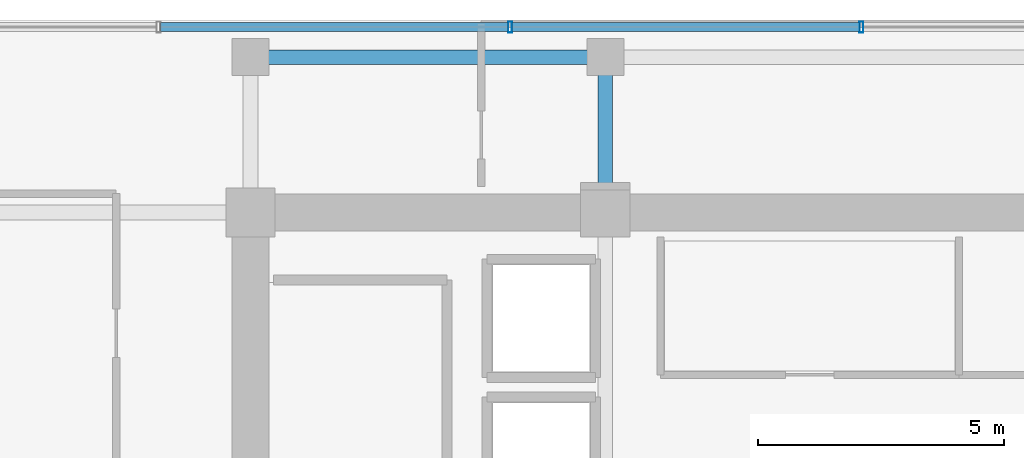
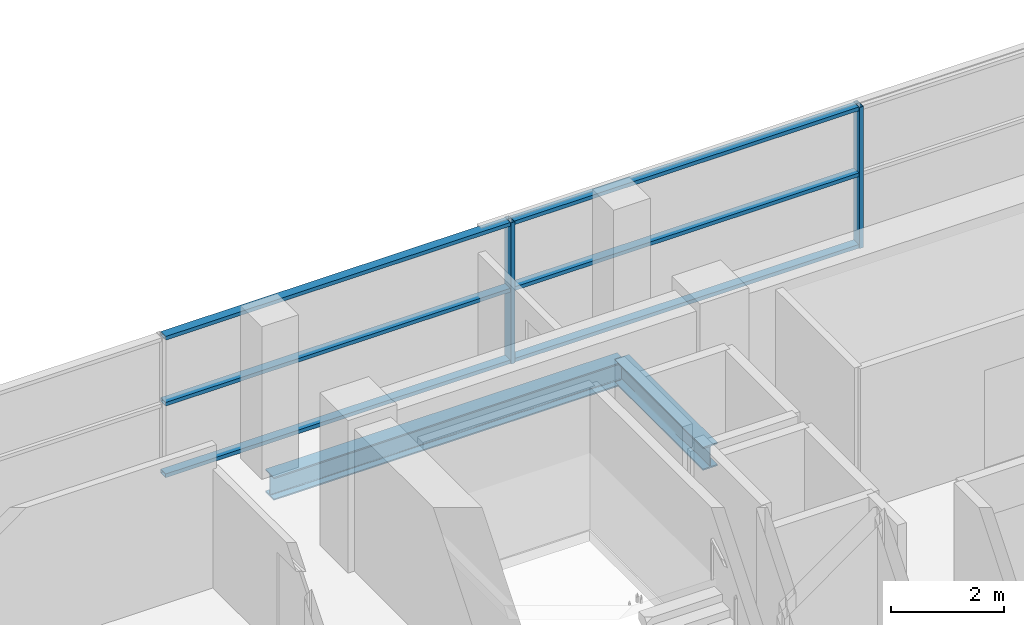
# One storey, part 10 of 21: 8 members, 2 beams, 1 element without a shape of its own.
"""IFC4 building model written with IfcOpenShell, lengths in metres."""

import ifcopenshell
import ifcopenshell.guid

model = None  # the IFC model being written
_history = None  # IfcOwnerHistory: only IFC2X3 demands one
_inside = {}  # id of a spatial element -> (the spatial element, [elements in it])
_under = {}  # id of a project, library or spatial element -> (it, [spatial elements below it])
_declared = {}  # id of a project -> (the project, [libraries it declares])
_typed = {}  # id of a type object -> (the type object, [elements of that type])
_made_of = {}  # id of a material, layer set ... -> (it, [elements and type objects made of it])


def new_model(schema):
    """Start an empty IFC model of exactly this schema.

    Asked for "IFC4X3", IfcOpenShell would pick the latest addendum, in which some entities
    have other attributes; the version numbers below select the first issue.
    IFC2X3 requires an IfcOwnerHistory on every rooted entity: one is made here for all.
    """
    global model, _history
    if schema == "IFC4X3":
        model = ifcopenshell.file(schema_version=(4, 3, 0, 0))
    else:
        model = ifcopenshell.file(schema=schema)
    _inside.clear()
    _under.clear()
    _declared.clear()
    _typed.clear()
    _made_of.clear()
    _history = None
    if model.schema == "IFC2X3":
        org = make("IfcOrganization", Name="unknown")
        user = make(
            "IfcPersonAndOrganization",
            ThePerson=make("IfcPerson", FamilyName="unknown"),
            TheOrganization=org,
        )
        app = make(
            "IfcApplication",
            ApplicationDeveloper=org,
            Version="unknown",
            ApplicationFullName="unknown",
            ApplicationIdentifier="unknown",
        )
        _history = make(
            "IfcOwnerHistory",
            OwningUser=user,
            OwningApplication=app,
            ChangeAction="ADDED",
            CreationDate=0,
        )
    return model


def make(cls, **values):
    """One entity of the class cls with the attributes given. An attribute that is None is left unset."""
    return model.create_entity(
        cls, **{name: value for name, value in values.items() if value is not None}
    )


def rooted(cls, **values):
    """An entity with a GlobalId (a new one), such as an element, a storey or a relation."""
    return make(cls, GlobalId=ifcopenshell.guid.new(), OwnerHistory=_history, **values)


def si_unit(unit_type, name, prefix=None):
    """IfcSIUnit, for example si_unit("LENGTHUNIT", "METRE", prefix="MILLI")."""
    return make("IfcSIUnit", UnitType=unit_type, Prefix=prefix, Name=name)


def assignment(units):
    """IfcUnitAssignment: the units of a project."""
    return None if units is None else make("IfcUnitAssignment", Units=units)


def point(xyz):
    """IfcCartesianPoint."""
    return None if xyz is None else make("IfcCartesianPoint", Coordinates=xyz)


def direction(xyz):
    """IfcDirection."""
    return None if xyz is None else make("IfcDirection", DirectionRatios=xyz)


def frame(location, z_axis=None, x_axis=None):
    """IfcAxis2Placement3D, a coordinate frame: its origin and axes. An axis left out is left unset."""
    return make(
        "IfcAxis2Placement3D",
        Location=point(location),
        Axis=direction(z_axis),
        RefDirection=direction(x_axis),
    )


def frame_2d(location, x_axis=None):
    """IfcAxis2Placement2D, a coordinate frame in the plane: its origin and x axis."""
    return make(
        "IfcAxis2Placement2D", Location=point(location), RefDirection=direction(x_axis)
    )


def origin():
    """The frame at (0, 0, 0) with its axes left unset."""
    return frame((0.0, 0.0, 0.0))


def origin_2d():
    """The frame at (0, 0) in the plane with its x axis left unset."""
    return frame_2d((0.0, 0.0))


def place(relative_to, where):
    """IfcLocalPlacement: puts the frame where relative to a parent placement (None: the world)."""
    return make(
        "IfcLocalPlacement", PlacementRelTo=relative_to, RelativePlacement=where
    )


def context(
    kind, dimensions, precision=None, world=None, true_north=None, identifier=None
):
    """IfcGeometricRepresentationContext, for example the 3D "Model" context."""
    return make(
        "IfcGeometricRepresentationContext",
        ContextIdentifier=identifier,
        ContextType=kind,
        CoordinateSpaceDimension=dimensions,
        Precision=precision,
        WorldCoordinateSystem=world,
        TrueNorth=true_north,
    )


def subcontext(parent, identifier, kind, view, scale=None):
    """IfcGeometricRepresentationSubContext, for example "Body" below "Model"."""
    return make(
        "IfcGeometricRepresentationSubContext",
        ContextIdentifier=identifier,
        ContextType=kind,
        ParentContext=parent,
        TargetScale=scale,
        TargetView=view,
    )


def project(units=None, contexts=None):
    """IfcProject with its units and contexts."""
    return rooted(
        "IfcProject",
        Name="project",
        RepresentationContexts=contexts,
        UnitsInContext=assignment(units),
    )


def spatial(cls, under=None, at=None, **own):
    """A site, building, storey or space (cls), placed at a placement, below another one or the project."""
    s = rooted(cls, ObjectPlacement=at, **own)
    if under is not None:
        _under.setdefault(under.id(), (under, []))[1].append(s)
    return s


def profile(cls, at=None, kind="AREA", **sizes):
    """A parametric profile (cls). Its sizes go by their IFC names, for example OverallWidth=200.0."""
    return make(cls, ProfileType=kind, Position=at, **sizes)


def hollow_rectangle(**sizes):
    """IfcRectangleHollowProfileDef."""
    return profile("IfcRectangleHollowProfileDef", **sizes)


def i_section(**sizes):
    """IfcIShapeProfileDef."""
    return profile("IfcIShapeProfileDef", **sizes)


def extrude(swept, where, along, depth):
    """IfcExtrudedAreaSolid: the profile swept, set in the frame where, extruded along a direction by depth."""
    return make(
        "IfcExtrudedAreaSolid",
        SweptArea=swept,
        Position=where,
        ExtrudedDirection=direction(along),
        Depth=depth,
    )


def shape(context_of_items, identifier, shape_type, items):
    """IfcShapeRepresentation: the items that make up one representation, for example the "Body"."""
    return make(
        "IfcShapeRepresentation",
        ContextOfItems=context_of_items,
        RepresentationIdentifier=identifier,
        RepresentationType=shape_type,
        Items=items,
    )


def source(mapping_origin, context_of_items, identifier, shape_type, items):
    """IfcRepresentationMap: a shape defined once, which mapped items show again and again."""
    return make(
        "IfcRepresentationMap",
        MappingOrigin=mapping_origin,
        MappedRepresentation=shape(context_of_items, identifier, shape_type, items),
    )


def transform(
    local_origin,
    x_axis=None,
    y_axis=None,
    z_axis=None,
    scale=None,
    scale2=None,
    scale3=None,
    uniform=True,
):
    """IfcCartesianTransformationOperator3D, or its non-uniform kind. x_axis, y_axis, z_axis: its Axis1, 2, 3."""
    if uniform:
        return make(
            "IfcCartesianTransformationOperator3D",
            Axis1=direction(x_axis),
            Axis2=direction(y_axis),
            LocalOrigin=point(local_origin),
            Scale=scale,
            Axis3=direction(z_axis),
        )
    return make(
        "IfcCartesianTransformationOperator3DnonUniform",
        Axis1=direction(x_axis),
        Axis2=direction(y_axis),
        LocalOrigin=point(local_origin),
        Scale=scale,
        Axis3=direction(z_axis),
        Scale2=scale2,
        Scale3=scale3,
    )


def mapped(mapping_source, mapping_target):
    """IfcMappedItem: shows the shape of a source again, moved by a transform."""
    return make(
        "IfcMappedItem", MappingSource=mapping_source, MappingTarget=mapping_target
    )


def material(Name=None, Category=None):
    """IfcMaterial."""
    return make("IfcMaterial", Name=Name, Category=Category)


def layer(
    of_material, thickness, ventilated=None, Name=None, Category=None, Priority=None
):
    """IfcMaterialLayer: one layer of a wall or slab, of a material (None: an air gap)."""
    return make(
        "IfcMaterialLayer",
        Material=of_material,
        LayerThickness=thickness,
        IsVentilated=ventilated,
        Name=Name,
        Category=Category,
        Priority=Priority,
    )


def layer_set(layers, Name=None):
    """IfcMaterialLayerSet."""
    return make("IfcMaterialLayerSet", MaterialLayers=layers, LayerSetName=Name)


def material_profile(
    of_material, cross_section, Name=None, Category=None, Priority=None
):
    """IfcMaterialProfile: a cross section and its material."""
    return make(
        "IfcMaterialProfile",
        Name=Name,
        Material=of_material,
        Profile=cross_section,
        Priority=Priority,
        Category=Category,
    )


def profile_set(profiles, Name=None, composite=None):
    """IfcMaterialProfileSet."""
    return make(
        "IfcMaterialProfileSet",
        Name=Name,
        MaterialProfiles=profiles,
        CompositeProfile=composite,
    )


def made_of(thing, what):
    """Note that an element or type object is made of a material, layer set ...; save() writes the relation."""
    if what is not None:
        _made_of.setdefault(what.id(), (what, []))[1].append(thing)
    return thing


def type_object(cls, material=None, **own):
    """A type object (cls), such as IfcWallType, which elements share."""
    return made_of(rooted(cls, **own), material)


def element(
    cls,
    number,
    at=None,
    inside=None,
    cuts=None,
    type_object=None,
    material=None,
    context=None,
    identifier="Body",
    shape_type=None,
    held_by="IfcProductDefinitionShape",
    body=None,
    shapes=None,
    **own,
):
    """One element of the class cls, such as IfcWall. Its Tag is "e" and its number.

    at: its placement. inside: the storey or other place that contains it. cuts: it is an
    opening in that element (IfcRelVoidsElement). A single representation is given by context,
    identifier, shape_type and body (its items); several are given by shapes. held_by: the class
    of the entity that holds the representations. save() writes the other relations.
    """
    e = rooted(cls, Tag="e%d" % number, ObjectPlacement=at, **own)
    if body is not None:
        shapes = [shape(context, identifier, shape_type, body)]
    if shapes is not None:
        e.Representation = make(held_by, Representations=shapes)
    if inside is not None:
        _inside.setdefault(inside.id(), (inside, []))[1].append(e)
    if cuts is not None:
        rooted(
            "IfcRelVoidsElement", RelatingBuildingElement=cuts, RelatedOpeningElement=e
        )
    if type_object is not None:
        _typed.setdefault(type_object.id(), (type_object, []))[1].append(e)
    return made_of(e, material)


def aggregate(whole, parts):
    """IfcRelAggregates: a whole, such as a stair, and the parts it consists of."""
    return rooted("IfcRelAggregates", RelatingObject=whole, RelatedObjects=parts)


def save(model, path):
    """Write the relations noted so far, then the file.

    IfcRelAggregates (storeys below a building ...), IfcRelContainedInSpatialStructure (elements
    in a storey), IfcRelDefinesByType, IfcRelAssociatesMaterial and IfcRelDeclares: one each for
    every whole, place, type object, material and project.
    """
    for whole, parts in _under.values():
        aggregate(whole, parts)
    for where, things in _inside.values():
        rooted(
            "IfcRelContainedInSpatialStructure",
            RelatedElements=things,
            RelatingStructure=where,
        )
    for kind, things in _typed.values():
        rooted("IfcRelDefinesByType", RelatedObjects=things, RelatingType=kind)
    for what, things in _made_of.values():
        rooted("IfcRelAssociatesMaterial", RelatedObjects=things, RelatingMaterial=what)
    for by, libraries in _declared.values():
        rooted("IfcRelDeclares", RelatingContext=by, RelatedDefinitions=libraries)
    model.write(path)


model = new_model("IFC4")

# Units and contexts
model_context = context("Model", 3, precision=1e-05, world=origin(), true_north=direction((0.0, 1.0)))
body_context = subcontext(model_context, "Body", "Model", "MODEL_VIEW")
ifc_project = project(units=[si_unit("LENGTHUNIT", "METRE"), si_unit("AREAUNIT", "SQUARE_METRE"), si_unit("VOLUMEUNIT", "CUBIC_METRE"), si_unit("PLANEANGLEUNIT", "RADIAN"), si_unit("MASSUNIT", "GRAM", prefix="KILO")], contexts=[model_context])

# Site, building, storey
site_placement = place(None, origin())
site = spatial("IfcSite", under=ifc_project, at=site_placement, CompositionType="ELEMENT")
building_placement = place(site_placement, origin())
building = spatial("IfcBuilding", under=site, at=building_placement, Name="Zarnakvel Exchange Tower", CompositionType="ELEMENT")
storey_placement = place(building_placement, frame((0.0, 0.0, 152.800048828125)))
storey = spatial("IfcBuildingStorey", under=building, at=storey_placement, Name="L42", CompositionType="ELEMENT", Elevation=152.800048828125)

# Beams
ifc_material_1 = material(Name="Steel S355", Category="steel")
ifc_material_profile_1 = material_profile(ifc_material_1, i_section(OverallWidth=0.300048828125, OverallDepth=0.5, WebThickness=0.014404296875, FlangeThickness=0.028076171875, FilletRadius=0.027099609375, at=origin_2d()))
ifc_profile_set_1 = profile_set([ifc_material_profile_1], Name="Steel S355")
beam_type_1 = type_object("IfcBeamType", Name="G-06", PredefinedType="BEAM", material=ifc_profile_set_1)
beam_1_placement = place(storey_placement, frame((-7.199951171875, 13.5, -0.47509765625), z_axis=(0.0, 1.0, 0.0), x_axis=(-1.0, 0.0, 0.0)))
element("IfcBeam", 1, at=beam_1_placement, inside=storey, type_object=beam_type_1, Name="L42 Tower N-S Frame Beam", PredefinedType="BEAM", context=body_context, shape_type="SweptSolid", body=[
    extrude(i_section(OverallWidth=0.300048828125, OverallDepth=0.5, WebThickness=0.014404296875, FlangeThickness=0.028076171875, FilletRadius=0.027099609375, at=origin_2d()), origin(), (0.0, 0.0, 1.0), 3.14990234375),
])
ifc_material_profile_2 = material_profile(ifc_material_1, i_section(OverallWidth=0.300048828125, OverallDepth=0.5, WebThickness=0.014404296875, FlangeThickness=0.028076171875, FilletRadius=0.027099609375, at=origin_2d()))
ifc_profile_set_2 = profile_set([ifc_material_profile_2], Name="Steel S355")
beam_type_2 = type_object("IfcBeamType", Name="SP-02", PredefinedType="SPANDREL", material=ifc_profile_set_2)
beam_2_placement = place(storey_placement, frame((-14.39990234375, 16.64990234375, -0.47509765625), z_axis=(1.0, 0.0, 0.0), x_axis=(0.0, 1.0, 0.0)))
element("IfcBeam", 2, at=beam_2_placement, inside=storey, type_object=beam_type_2, Name="L42 Tower E-W Frame Beam", PredefinedType="SPANDREL", context=body_context, shape_type="SweptSolid", body=[
    extrude(i_section(OverallWidth=0.300048828125, OverallDepth=0.5, WebThickness=0.014404296875, FlangeThickness=0.028076171875, FilletRadius=0.027099609375, at=origin_2d()), origin(), (0.0, 0.0, 1.0), 7.199951171875),
])

# Curtain wall, members
ifc_material_2 = material(Name="Architectural Bronze Anodised Aluminium", Category="aluminium")
ifc_layer = layer(ifc_material_2, 0.219970703125)
ifc_layer_set = layer_set([ifc_layer], Name="Architectural Bronze Anodised Aluminium")
curtain_wall_type = type_object("IfcCurtainWallType", Name="CW-03", PredefinedType="NOTDEFINED", material=ifc_layer_set)
curtain_wall_placement = place(storey_placement, origin())
curtain_wall = element("IfcCurtainWall", 3, at=curtain_wall_placement, inside=storey, type_object=curtain_wall_type, Name="L42 Curtain Wall CW-L42-N1 (CW-03)", PredefinedType="NOTDEFINED")
ifc_material_profile_3 = material_profile(ifc_material_2, hollow_rectangle(XDim=0.219970703125, YDim=0.080078125, WallThickness=0.0048828125, at=origin_2d()))
ifc_profile_set_3 = profile_set([ifc_material_profile_3], Name="Architectural Bronze Anodised Aluminium")
member_type_1 = type_object("IfcMemberType", Name="CWM-03", PredefinedType="MULLION", material=ifc_profile_set_3)
shared_shape_1 = source(origin(), body_context, "Body", "SweptSolid", [
    extrude(hollow_rectangle(XDim=0.219970703125, YDim=0.080078125, WallThickness=0.0048828125, at=origin_2d()), origin(), (0.0, 0.0, 1.0), 3.054931640625),
])
member_1_placement = place(storey_placement, frame((-9.13330078125, 17.260009765625, 0.0), z_axis=(0.0, 0.0, 1.0), x_axis=(0.0, 1.0, 0.0)))
member_1 = element("IfcMember", 4, at=member_1_placement, type_object=member_type_1, Name="CW-03 mullion 3", PredefinedType="MULLION", context=body_context, shape_type="MappedRepresentation", body=[
    mapped(shared_shape_1, transform((0.0, 0.0, 0.0), x_axis=(1.0, 0.0, 0.0), y_axis=(0.0, 1.0, 0.0), z_axis=(0.0, 0.0, 1.0), scale=1.0)),
])
member_2_placement = place(storey_placement, frame((-2.0, 17.260009765625, 0.0), z_axis=(0.0, 0.0, 1.0), x_axis=(0.0, 1.0, 0.0)))
member_2 = element("IfcMember", 5, at=member_2_placement, type_object=member_type_1, Name="CW-03 mullion 4", PredefinedType="MULLION", context=body_context, shape_type="MappedRepresentation", body=[
    mapped(shared_shape_1, transform((0.0, 0.0, 0.0), x_axis=(1.0, 0.0, 0.0), y_axis=(0.0, 1.0, 0.0), z_axis=(0.0, 0.0, 1.0), scale=1.0)),
])
ifc_material_profile_4 = material_profile(ifc_material_2, hollow_rectangle(XDim=0.179931640625, YDim=0.080078125, WallThickness=0.00390625, at=origin_2d()))
ifc_profile_set_4 = profile_set([ifc_material_profile_4], Name="Architectural Bronze Anodised Aluminium")
member_type_2 = type_object("IfcMemberType", Name="CWT-03", PredefinedType="USERDEFINED", material=ifc_profile_set_4)
shared_shape_2 = source(origin(), body_context, "Body", "SweptSolid", [
    extrude(hollow_rectangle(XDim=0.179931640625, YDim=0.080078125, WallThickness=0.00390625, at=origin_2d()), origin(), (0.0, 0.0, 1.0), 7.05322265625),
])
member_3_placement = place(storey_placement, frame((-16.2265625, 17.260009765625, 0.0400390625), z_axis=(1.0, 0.0, 0.0), x_axis=(0.0, 1.0, 0.0)))
member_3 = element("IfcMember", 6, at=member_3_placement, type_object=member_type_2, Name="CW-03 transom 2.1", ObjectType="TRANSOM", PredefinedType="USERDEFINED", context=body_context, shape_type="MappedRepresentation", body=[
    mapped(shared_shape_2, transform((0.0, 0.0, 0.0), x_axis=(1.0, 0.0, 0.0), y_axis=(0.0, 1.0, 0.0), z_axis=(0.0, 0.0, 1.0), scale=1.0)),
])
member_4_placement = place(storey_placement, frame((-16.2265625, 17.260009765625, 1.588623046875), z_axis=(1.0, 0.0, 0.0), x_axis=(0.0, 1.0, 0.0)))
member_4 = element("IfcMember", 7, at=member_4_placement, type_object=member_type_2, Name="CW-03 transom 2.2", ObjectType="TRANSOM", PredefinedType="USERDEFINED", context=body_context, shape_type="MappedRepresentation", body=[
    mapped(shared_shape_2, transform((0.0, 0.0, 0.0), x_axis=(1.0, 0.0, 0.0), y_axis=(0.0, 1.0, 0.0), z_axis=(0.0, 0.0, 1.0), scale=1.0)),
])
member_5_placement = place(storey_placement, frame((-16.2265625, 17.260009765625, 3.014892578125), z_axis=(1.0, 0.0, 0.0), x_axis=(0.0, 1.0, 0.0)))
member_5 = element("IfcMember", 8, at=member_5_placement, type_object=member_type_2, Name="CW-03 transom 2.3", ObjectType="TRANSOM", PredefinedType="USERDEFINED", context=body_context, shape_type="MappedRepresentation", body=[
    mapped(shared_shape_2, transform((0.0, 0.0, 0.0), x_axis=(1.0, 0.0, 0.0), y_axis=(0.0, 1.0, 0.0), z_axis=(0.0, 0.0, 1.0), scale=1.0)),
])
member_6_placement = place(storey_placement, frame((-9.09326171875, 17.260009765625, 0.0400390625), z_axis=(1.0, 0.0, 0.0), x_axis=(0.0, 1.0, 0.0)))
member_6 = element("IfcMember", 9, at=member_6_placement, type_object=member_type_2, Name="CW-03 transom 3.1", ObjectType="TRANSOM", PredefinedType="USERDEFINED", context=body_context, shape_type="MappedRepresentation", body=[
    mapped(shared_shape_2, transform((0.0, 0.0, 0.0), x_axis=(1.0, 0.0, 0.0), y_axis=(0.0, 1.0, 0.0), z_axis=(0.0, 0.0, 1.0), scale=1.0)),
])
member_7_placement = place(storey_placement, frame((-9.09326171875, 17.260009765625, 1.588623046875), z_axis=(1.0, 0.0, 0.0), x_axis=(0.0, 1.0, 0.0)))
member_7 = element("IfcMember", 10, at=member_7_placement, type_object=member_type_2, Name="CW-03 transom 3.2", ObjectType="TRANSOM", PredefinedType="USERDEFINED", context=body_context, shape_type="MappedRepresentation", body=[
    mapped(shared_shape_2, transform((0.0, 0.0, 0.0), x_axis=(1.0, 0.0, 0.0), y_axis=(0.0, 1.0, 0.0), z_axis=(0.0, 0.0, 1.0), scale=1.0)),
])
member_8_placement = place(storey_placement, frame((-9.09326171875, 17.260009765625, 3.014892578125), z_axis=(1.0, 0.0, 0.0), x_axis=(0.0, 1.0, 0.0)))
member_8 = element("IfcMember", 11, at=member_8_placement, type_object=member_type_2, Name="CW-03 transom 3.3", ObjectType="TRANSOM", PredefinedType="USERDEFINED", context=body_context, shape_type="MappedRepresentation", body=[
    mapped(shared_shape_2, transform((0.0, 0.0, 0.0), x_axis=(1.0, 0.0, 0.0), y_axis=(0.0, 1.0, 0.0), z_axis=(0.0, 0.0, 1.0), scale=1.0)),
])
aggregate(curtain_wall, [member_1, member_2, member_3, member_4, member_5, member_6, member_7, member_8])

save(model, "model.ifc")
